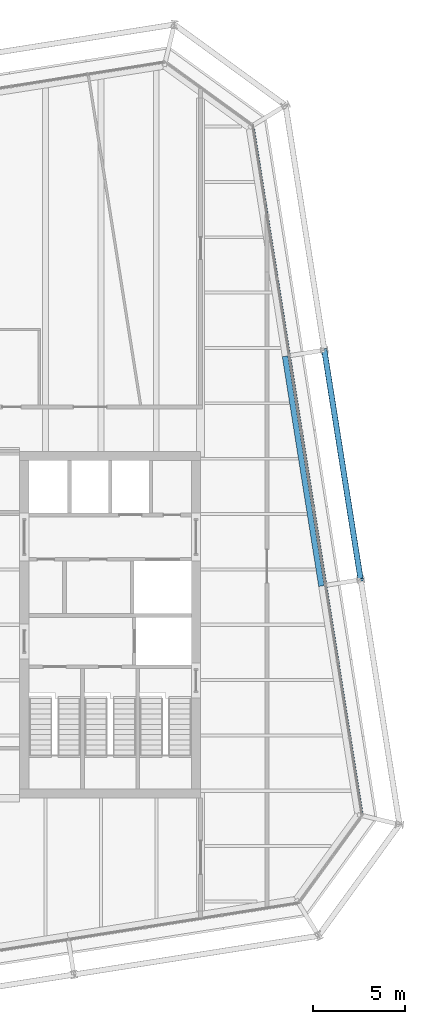
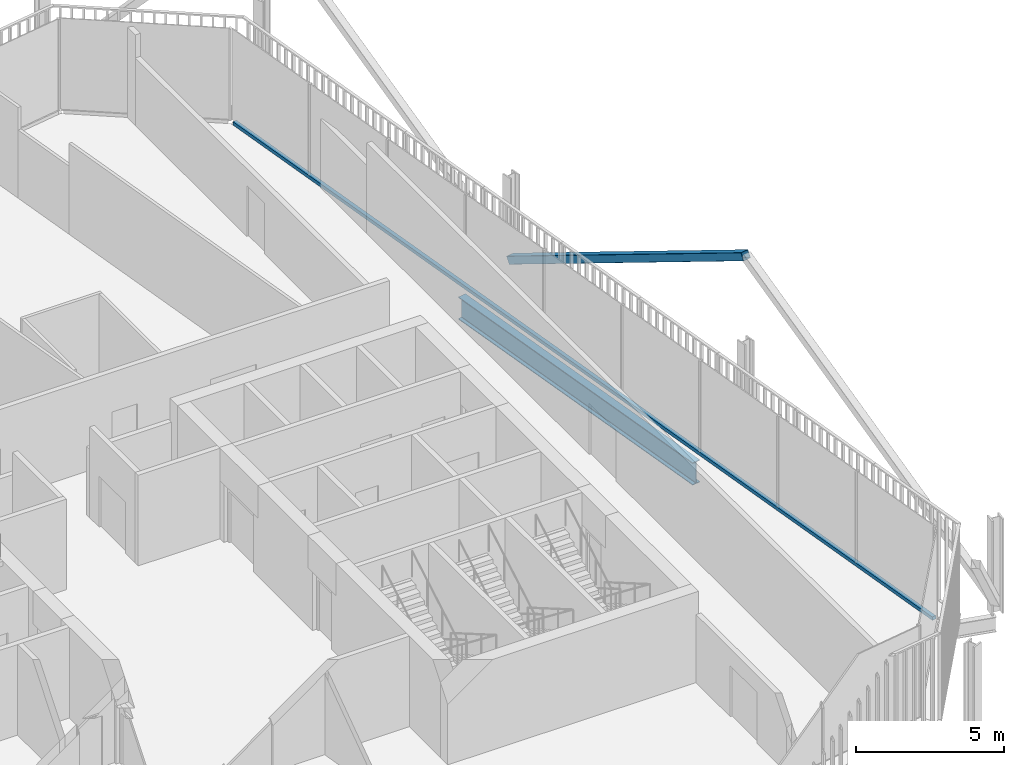
# One storey, part 10 of 21: 2 members, 1 beam, 1 element without a shape of its own.
"""IFC4 building model written with IfcOpenShell, lengths in metres."""

from ifc_helpers import new_model, si_unit, direction, frame, origin, origin_2d, place, context, subcontext, project, spatial, rectangle, hollow_rectangle, i_section, extrude, material, layer, layer_set, material_profile, profile_set, type_object, element, aggregate, save


model = new_model("IFC4")

# Units and contexts
model_context = context("Model", 3, precision=1e-05, world=origin(), true_north=direction((0.0, 1.0)))
body_context = subcontext(model_context, "Body", "Model", "MODEL_VIEW")
ifc_project = project(units=[si_unit("LENGTHUNIT", "METRE"), si_unit("AREAUNIT", "SQUARE_METRE"), si_unit("VOLUMEUNIT", "CUBIC_METRE"), si_unit("PLANEANGLEUNIT", "RADIAN"), si_unit("MASSUNIT", "GRAM", prefix="KILO")], contexts=[model_context])

# Site, building, storey
site_placement = place(None, origin())
site = spatial("IfcSite", under=ifc_project, at=site_placement, CompositionType="ELEMENT")
building_placement = place(site_placement, origin())
building = spatial("IfcBuilding", under=site, at=building_placement, Name="Millrace Tower", CompositionType="ELEMENT")
storey_placement = place(building_placement, frame((0.0, 0.0, 247.39990234375)))
storey = spatial("IfcBuildingStorey", under=building, at=storey_placement, Name="L56", CompositionType="ELEMENT", Elevation=247.39990234375)

# Curtain wall, member
ifc_material_1 = material(Name="Aluminium and glass", Category="aluminium")
ifc_layer = layer(ifc_material_1, 0.14990234375)
ifc_layer_set = layer_set([ifc_layer], Name="Aluminium and glass")
curtain_wall_type = type_object("IfcCurtainWallType", Name="CW-1 office vision curtain wall", PredefinedType="NOTDEFINED", material=ifc_layer_set)
curtain_wall_placement = place(storey_placement, origin())
curtain_wall = element("IfcCurtainWall", 1, at=curtain_wall_placement, inside=storey, type_object=curtain_wall_type, Name="Curtain wall D-F04 L56", PredefinedType="NOTDEFINED")
ifc_material_2 = material(Name="Aluminium", Category="aluminium")
ifc_material_profile_1 = material_profile(ifc_material_2, rectangle(XDim=0.14990234375, YDim=0.139892578125, at=origin_2d()))
ifc_profile_set_1 = profile_set([ifc_material_profile_1], Name="Aluminium")
member_type_1 = type_object("IfcMemberType", Name="CW-1 office vision curtain wall transom", PredefinedType="USERDEFINED", material=ifc_profile_set_1)
member_1_placement = place(storey_placement, frame((23.1318359375, -10.208740234375, 0.070068359375), z_axis=(-0.156432359726, 0.987688674042, 0.0), x_axis=(-0.987688674042, -0.156432359726, 0.0)))
member_1 = element("IfcMember", 2, at=member_1_placement, type_object=member_type_1, Name="CW1 transom D-F04.1", ObjectType="TRANSOM", PredefinedType="USERDEFINED", context=body_context, shape_type="SweptSolid", body=[
    extrude(rectangle(XDim=0.14990234375, YDim=0.139892578125, at=origin_2d()), origin(), (0.0, 0.0, 1.0), 37.599853515625),
])
aggregate(curtain_wall, [member_1])

# Member
ifc_material_3 = material(Name="Steel ASTM A500 Grade C", Category="steel")
ifc_material_profile_2 = material_profile(ifc_material_3, hollow_rectangle(XDim=0.3046875, YDim=0.3046875, WallThickness=0.009521484375, InnerFilletRadius=0.004638671875, OuterFilletRadius=0.014404296875, at=origin_2d()))
ifc_profile_set_2 = profile_set([ifc_material_profile_2], Name="Steel ASTM A500 Grade C")
member_type_2 = type_object("IfcMemberType", Name="Exoskeleton brace HSS12x12x3/8", PredefinedType="BRACE", material=ifc_profile_set_2)
member_2_placement = place(storey_placement, frame((21.106689453125, 14.88330078125, 0.400146484375), z_axis=(0.136740080373, -0.863395126588, 0.485644937998), x_axis=(0.987689802912, 0.156425232058, 0.0)))
element("IfcMember", 3, at=member_2_placement, inside=storey, type_object=member_type_2, Name="BRC-D-L56-07", PredefinedType="BRACE", context=body_context, shape_type="SweptSolid", body=[
    extrude(hollow_rectangle(XDim=0.3046875, YDim=0.3046875, WallThickness=0.009521484375, InnerFilletRadius=0.004638671875, OuterFilletRadius=0.014404296875, at=origin_2d()), origin(), (0.0, 0.0, 1.0), 14.413818359375),
])

# Beam
ifc_material_4 = material(Name="Steel ASTM A992 Grade 50", Category="steel")
ifc_material_profile_3 = material_profile(ifc_material_4, i_section(OverallWidth=0.307373046875, OverallDepth=0.927001953125, WebThickness=0.01953125, FlangeThickness=0.031982421875, FilletRadius=0.01904296875, at=origin_2d()))
ifc_profile_set_3 = profile_set([ifc_material_profile_3], Name="Steel ASTM A992 Grade 50")
beam_type = type_object("IfcBeamType", Name="Ring beam medium span W36x194", PredefinedType="SPANDREL", material=ifc_profile_set_3)
beam_placement = place(storey_placement, frame((18.9794921875, 14.54638671875, -0.62353515625), z_axis=(0.1564441342, -0.987686809102, 0.0), x_axis=(0.987686809102, 0.1564441342, 0.0)))
element("IfcBeam", 4, at=beam_placement, inside=storey, type_object=beam_type, Name="RNG-D-L56-S1-10", PredefinedType="SPANDREL", context=body_context, shape_type="SweptSolid", body=[
    extrude(i_section(OverallWidth=0.307373046875, OverallDepth=0.927001953125, WebThickness=0.01953125, FlangeThickness=0.031982421875, FilletRadius=0.01904296875, at=origin_2d()), origin(), (0.0, 0.0, 1.0), 12.599853515625),
])

save(model, "model.ifc")
